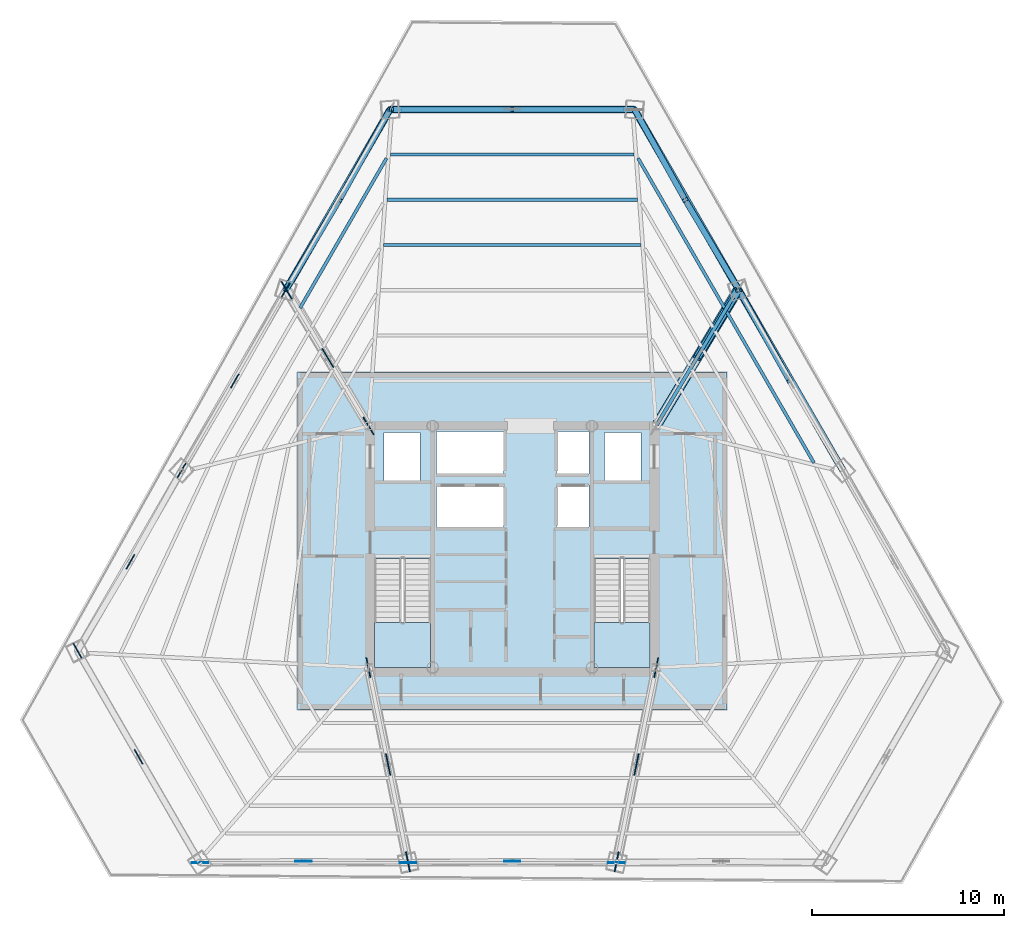
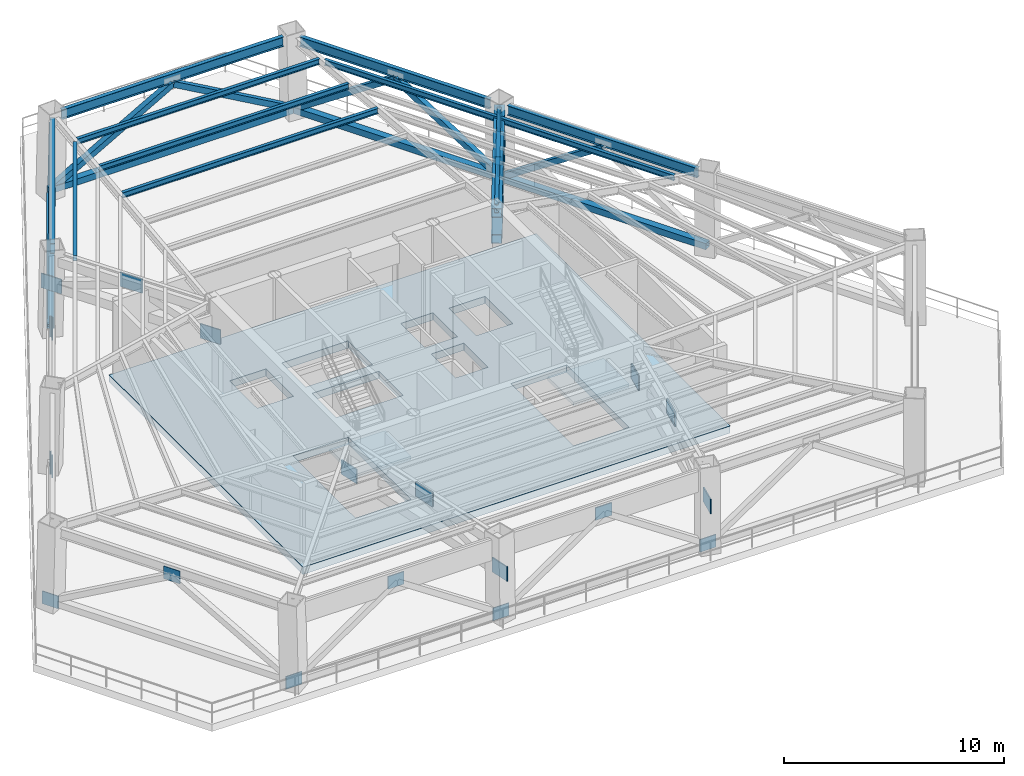
# One storey, part 4 of 12: 20 plates, 16 members, 11 beams, 3 slabs, 2 elements without a shape of their own.
"""IFC4 building model written with IfcOpenShell, lengths in metres."""

from ifc_helpers import new_model, si_unit, direction, frame, origin, origin_2d, place, context, subcontext, project, spatial, polyline, rectangle, hollow_rectangle, i_section, outline, extrude, source, transform, mapped, material, layer, layer_set, material_profile, profile_set, type_object, type_shapes, element, aggregate, save


model = new_model("IFC4")

# Units and contexts
model_context = context("Model", 3, precision=1e-05, world=origin(), true_north=direction((0.0, 1.0)))
body_context = subcontext(model_context, "Body", "Model", "MODEL_VIEW")
ifc_project = project(units=[si_unit("LENGTHUNIT", "METRE"), si_unit("AREAUNIT", "SQUARE_METRE"), si_unit("VOLUMEUNIT", "CUBIC_METRE"), si_unit("PLANEANGLEUNIT", "RADIAN"), si_unit("MASSUNIT", "GRAM", prefix="KILO")], contexts=[model_context])

# Site, building, storey
site_placement = place(None, origin())
site = spatial("IfcSite", under=ifc_project, at=site_placement, CompositionType="ELEMENT")
building_placement = place(site_placement, origin())
building = spatial("IfcBuilding", under=site, at=building_placement, Name="Caelisora Broadcast Tower", CompositionType="ELEMENT")
storey_placement = place(building_placement, frame((0.0, 0.0, 150.050048828125)))
storey = spatial("IfcBuildingStorey", under=building, at=storey_placement, Name="L39", CompositionType="ELEMENT", Elevation=150.050048828125)

# Members
ifc_material_1 = material(Name="Steel Grade 350 (AS/NZS 1163 C350L0)", Category="steel")
ifc_material_profile_1 = material_profile(ifc_material_1, hollow_rectangle(XDim=0.199951171875, YDim=0.199951171875, WallThickness=0.009033203125, at=origin_2d()), Name="Steel Grade 350 (AS/NZS 1163 C350L0)")
ifc_profile_set_1 = profile_set([ifc_material_profile_1], Name="Steel Grade 350 (AS/NZS 1163 C350L0)")
member_type_1 = type_object("IfcMemberType", Name="TR14", PredefinedType="POST", material=ifc_profile_set_1)
shared_shape_1 = source(origin(), body_context, "Body", "SweptSolid", [
    extrude(hollow_rectangle(XDim=0.199951171875, YDim=0.199951171875, WallThickness=0.009033203125, at=origin_2d()), origin(), (0.0, 0.0, 1.0), 3.62109375),
])
member_1_placement = place(storey_placement, frame((31.621826171875, 46.488037109375, 0.349853515625), z_axis=(0.0239342972, 0.001752934443, 0.999711996846), x_axis=(-0.073043794618, 0.997328734203, 0.0)))
element("IfcMember", 1, at=member_1_placement, inside=storey, type_object=member_type_1, Name="L39 transfer post TR14", PredefinedType="POST", context=body_context, shape_type="MappedRepresentation", body=[
    mapped(shared_shape_1, transform((0.0, 0.0, 0.0), scale=1.0)),
])
shared_shape_2 = source(origin(), body_context, "Body", "SweptSolid", [
    extrude(hollow_rectangle(XDim=0.199951171875, YDim=0.199951171875, WallThickness=0.009033203125, at=origin_2d()), origin(), (0.0, 0.0, 1.0), 3.620849609375),
])
type_shapes(member_type_1, [shared_shape_1, shared_shape_2])
member_2_placement = place(storey_placement, frame((49.806884765625, 37.085205078125, 0.349853515625), z_axis=(-0.019418701638, -0.006000918215, 0.999793430168), x_axis=(0.295251213444, -0.955419656988, 0.0)))
element("IfcMember", 2, at=member_2_placement, inside=storey, type_object=member_type_1, Name="L39 transfer post TR14", PredefinedType="POST", context=body_context, shape_type="MappedRepresentation", body=[
    mapped(shared_shape_2, transform((0.0, 0.0, 0.0), scale=1.0)),
])

# Beams
ifc_material_2 = material(Name="Steel Grade 350 (AS/NZS 3679.1)", Category="steel")
ifc_material_profile_2 = material_profile(ifc_material_2, i_section(OverallWidth=0.208984375, OverallDepth=0.532958984375, WebThickness=0.01025390625, FlangeThickness=0.015625, at=origin_2d()), Name="Steel Grade 350 (AS/NZS 3679.1)")
ifc_profile_set_2 = profile_set([ifc_material_profile_2], Name="Steel Grade 350 (AS/NZS 3679.1)")
beam_type_1 = type_object("IfcBeamType", Name="PG05", PredefinedType="BEAM", material=ifc_profile_set_2)
shared_shape_3 = source(origin(), body_context, "Body", "SweptSolid", [
    extrude(i_section(OverallWidth=0.208984375, OverallDepth=0.532958984375, WebThickness=0.01025390625, FlangeThickness=0.015625, at=origin_2d()), origin(), (0.0, 0.0, 1.0), 11.62353515625),
])
beam_1_placement = place(storey_placement, frame((43.811767578125, 46.49609375, 4.283447265625), z_axis=(-1.0, 0.0, 0.0), x_axis=(0.0, -1.0, 0.0)))
element("IfcBeam", 3, at=beam_1_placement, inside=storey, type_object=beam_type_1, Name="L39 beam PG05", PredefinedType="BEAM", context=body_context, shape_type="MappedRepresentation", body=[
    mapped(shared_shape_3, transform((0.0, 0.0, 0.0), scale=1.0)),
])
shared_shape_4 = source(origin(), body_context, "Body", "SweptSolid", [
    extrude(i_section(OverallWidth=0.208984375, OverallDepth=0.532958984375, WebThickness=0.01025390625, FlangeThickness=0.015625, at=origin_2d()), origin(), (0.0, 0.0, 1.0), 9.9775390625),
])
type_shapes(beam_type_1, [shared_shape_3, shared_shape_4])
for number, where, z_axis, x_axis, name in (
    (4, (31.498291015625, 46.09765625, 4.283447265625), (-0.499997099014, -0.866027078663, 0.0), (0.866027078663, -0.499997099014, 0.0), "L39 beam PG05"),
    (5, (54.939208984375, 28.019287109375, 4.283447265625), (-0.499997099014, 0.866027078663, 0.0), (-0.866027078663, -0.499997099014, 0.0), "L39 beam PG05"),
    (6, (49.490478515625, 37.456787109375, 4.283447265625), (-0.499997099014, 0.866027078663, 0.0), (-0.866027078663, -0.499997099014, 0.0), "L39 beam PG05"),
):
    element("IfcBeam", number, at=place(storey_placement, frame(where, z_axis=z_axis, x_axis=x_axis)), inside=storey, type_object=beam_type_1, Name=name, PredefinedType="BEAM", context=body_context, shape_type="MappedRepresentation", body=[
        mapped(shared_shape_4, transform((0.0, 0.0, 0.0), scale=1.0)),
    ])
ifc_material_profile_3 = material_profile(ifc_material_2, i_section(OverallWidth=0.19091796875, OverallDepth=0.46044921875, WebThickness=0.010009765625, FlangeThickness=0.01611328125, at=origin_2d()), Name="Steel Grade 350 (AS/NZS 3679.1)")
ifc_profile_set_3 = profile_set([ifc_material_profile_3], Name="Steel Grade 350 (AS/NZS 3679.1)")
beam_type_2 = type_object("IfcBeamType", Name="PG06", PredefinedType="BEAM", material=ifc_profile_set_3)
shared_shape_5 = source(origin(), body_context, "Body", "SweptSolid", [
    extrude(i_section(OverallWidth=0.19091796875, OverallDepth=0.46044921875, WebThickness=0.010009765625, FlangeThickness=0.01611328125, at=origin_2d()), origin(), (0.0, 0.0, 1.0), 7.743896484375),
])
type_shapes(beam_type_2, [shared_shape_5])
beam_2_placement = place(storey_placement, frame((45.53076171875, 30.051513671875, 4.31982421875), z_axis=(0.513187736505, 0.858276381535, 0.0), x_axis=(-0.858276381535, 0.513187736505, 0.0)))
element("IfcBeam", 7, at=beam_2_placement, inside=storey, type_object=beam_type_2, Name="L39 beam PG06", PredefinedType="BEAM", context=body_context, shape_type="MappedRepresentation", body=[
    mapped(shared_shape_5, transform((0.0, 0.0, 0.0), scale=1.0)),
])
ifc_material_profile_4 = material_profile(ifc_material_2, i_section(OverallWidth=0.166015625, OverallDepth=0.30712890625, WebThickness=0.006591796875, FlangeThickness=0.01171875, at=origin_2d()), Name="Steel Grade 350 (AS/NZS 3679.1)")
ifc_profile_set_4 = profile_set([ifc_material_profile_4], Name="Steel Grade 350 (AS/NZS 3679.1)")
beam_type_3 = type_object("IfcBeamType", Name="SB03", PredefinedType="JOIST", material=ifc_profile_set_4)
shared_shape_6 = source(origin(), body_context, "Body", "SweptSolid", [
    extrude(i_section(OverallWidth=0.166015625, OverallDepth=0.30712890625, WebThickness=0.006591796875, FlangeThickness=0.01171875, at=origin_2d()), origin(), (0.0, 0.0, 1.0), 13.41064453125),
])
beam_3_placement = place(storey_placement, frame((44.705322265625, 39.42626953125, 4.396240234375), z_axis=(-1.0, 0.0, 0.0), x_axis=(0.0, -1.0, 0.0)))
element("IfcBeam", 8, at=beam_3_placement, inside=storey, type_object=beam_type_3, Name="L39 beam SB03", PredefinedType="JOIST", context=body_context, shape_type="MappedRepresentation", body=[
    mapped(shared_shape_6, transform((0.0, 0.0, 0.0), scale=1.0)),
])
shared_shape_7 = source(origin(), body_context, "Body", "SweptSolid", [
    extrude(i_section(OverallWidth=0.166015625, OverallDepth=0.30712890625, WebThickness=0.006591796875, FlangeThickness=0.01171875, at=origin_2d()), origin(), (0.0, 0.0, 1.0), 13.0595703125),
])
beam_4_placement = place(storey_placement, frame((44.52978515625, 41.782958984375, 4.396240234375), z_axis=(-1.0, 0.0, 0.0), x_axis=(0.0, -1.0, 0.0)))
element("IfcBeam", 9, at=beam_4_placement, inside=storey, type_object=beam_type_3, Name="L39 beam SB03", PredefinedType="JOIST", context=body_context, shape_type="MappedRepresentation", body=[
    mapped(shared_shape_7, transform((0.0, 0.0, 0.0), scale=1.0)),
])
shared_shape_8 = source(origin(), body_context, "Body", "SweptSolid", [
    extrude(i_section(OverallWidth=0.166015625, OverallDepth=0.30712890625, WebThickness=0.006591796875, FlangeThickness=0.01171875, at=origin_2d()), origin(), (0.0, 0.0, 1.0), 12.708984375),
])
beam_5_placement = place(storey_placement, frame((44.3544921875, 44.139404296875, 4.396240234375), z_axis=(-1.0, 0.0, 0.0), x_axis=(0.0, -1.0, 0.0)))
element("IfcBeam", 10, at=beam_5_placement, inside=storey, type_object=beam_type_3, Name="L39 beam SB03", PredefinedType="JOIST", context=body_context, shape_type="MappedRepresentation", body=[
    mapped(shared_shape_8, transform((0.0, 0.0, 0.0), scale=1.0)),
])
shared_shape_9 = source(origin(), body_context, "Body", "SweptSolid", [
    extrude(i_section(OverallWidth=0.166015625, OverallDepth=0.30712890625, WebThickness=0.006591796875, FlangeThickness=0.01171875, at=origin_2d()), origin(), (0.0, 0.0, 1.0), 9.017578125),
])
for number, where, z_axis, x_axis, name in (
    (11, (31.4443359375, 43.95166015625, 4.396240234375), (-0.499994306202, -0.866028691075, 0.0), (0.866028691075, -0.499994306202, 0.0), "L39 beam SB03"),
    (12, (49.064453125, 36.14208984375, 4.396240234375), (-0.499994306202, 0.866028691075, 0.0), (-0.866028691075, -0.499994306202, 0.0), "L39 beam SB03"),
):
    element("IfcBeam", number, at=place(storey_placement, frame(where, z_axis=z_axis, x_axis=x_axis)), inside=storey, type_object=beam_type_3, Name=name, PredefinedType="JOIST", context=body_context, shape_type="MappedRepresentation", body=[
        mapped(shared_shape_9, transform((0.0, 0.0, 0.0), scale=1.0)),
    ])
shared_shape_10 = source(origin(), body_context, "Body", "SweptSolid", [
    extrude(i_section(OverallWidth=0.166015625, OverallDepth=0.30712890625, WebThickness=0.006591796875, FlangeThickness=0.01171875, at=origin_2d()), origin(), (0.0, 0.0, 1.0), 9.10498046875),
])
type_shapes(beam_type_3, [shared_shape_6, shared_shape_7, shared_shape_8, shared_shape_9, shared_shape_10])
beam_6_placement = place(storey_placement, frame((53.72314453125, 28.072998046875, 4.396240234375), z_axis=(-0.500006402358, 0.86602170735, 0.0), x_axis=(-0.86602170735, -0.500006402358, 0.0)))
element("IfcBeam", 13, at=beam_6_placement, inside=storey, type_object=beam_type_3, Name="L39 beam SB03", PredefinedType="JOIST", context=body_context, shape_type="MappedRepresentation", body=[
    mapped(shared_shape_10, transform((0.0, 0.0, 0.0), scale=1.0)),
])

# Members
ifc_material_3 = material(Name="Steel Grade 350 L15 (AS/NZS 3678)", Category="steel")
ifc_material_profile_5 = material_profile(ifc_material_3, hollow_rectangle(XDim=0.5, YDim=0.5, WallThickness=0.02001953125, at=origin_2d()), Name="Steel Grade 350 L15 (AS/NZS 3678)")
ifc_profile_set_5 = profile_set([ifc_material_profile_5], Name="Steel Grade 350 L15 (AS/NZS 3678)")
member_type_2 = type_object("IfcMemberType", Name="OR03", PredefinedType="CHORD", material=ifc_profile_set_5)
shared_shape_11 = source(origin(), body_context, "Body", "SweptSolid", [
    extrude(hollow_rectangle(XDim=0.5, YDim=0.5, WallThickness=0.02001953125, at=origin_2d()), origin(), (0.0, 0.0, 1.0), 8.25634765625),
])
member_3_placement = place(storey_placement, frame((45.5, 30.0, 2.679931640625), z_axis=(0.516182015315, 0.856478912213, 0.0), x_axis=(-0.856478912213, 0.516182015315, 0.0)))
element("IfcMember", 14, at=member_3_placement, inside=storey, type_object=member_type_2, Name="L39 outrigger chord OR03", PredefinedType="CHORD", context=body_context, shape_type="MappedRepresentation", body=[
    mapped(shared_shape_11, transform((0.0, 0.0, 0.0), scale=1.0)),
])
shared_shape_12 = source(origin(), body_context, "Body", "SweptSolid", [
    extrude(hollow_rectangle(XDim=0.5, YDim=0.5, WallThickness=0.02001953125, at=origin_2d()), origin(), (0.0, 0.0, 1.0), 8.234130859375),
])
type_shapes(member_type_2, [shared_shape_11, shared_shape_12])
member_4_placement = place(storey_placement, frame((45.5, 30.0, 4.1298828125), z_axis=(0.514129444897, 0.85771260565, 0.0), x_axis=(-0.85771260565, 0.514129444897, 0.0)))
element("IfcMember", 15, at=member_4_placement, inside=storey, type_object=member_type_2, Name="L39 outrigger chord OR03", PredefinedType="CHORD", context=body_context, shape_type="MappedRepresentation", body=[
    mapped(shared_shape_12, transform((0.0, 0.0, 0.0), scale=1.0)),
])
ifc_material_profile_6 = material_profile(ifc_material_1, hollow_rectangle(XDim=0.39990234375, YDim=0.39990234375, WallThickness=0.01611328125, at=origin_2d()), Name="Steel Grade 350 (AS/NZS 1163 C350L0)")
ifc_profile_set_6 = profile_set([ifc_material_profile_6], Name="Steel Grade 350 (AS/NZS 1163 C350L0)")
member_type_3 = type_object("IfcMemberType", Name="OR04", PredefinedType="STRUT", material=ifc_profile_set_6)
shared_shape_13 = source(origin(), body_context, "Body", "SweptSolid", [
    extrude(hollow_rectangle(XDim=0.39990234375, YDim=0.39990234375, WallThickness=0.01611328125, at=origin_2d()), origin(), (0.0, 0.0, 1.0), 4.3857421875),
])
type_shapes(member_type_3, [shared_shape_13])
member_5_placement = place(storey_placement, frame((47.61669921875, 33.53125, 4.1298828125), z_axis=(0.489081544446, 0.80715711296, -0.330600420267), x_axis=(-0.855246946827, 0.518220667229, 0.0)))
element("IfcMember", 16, at=member_5_placement, inside=storey, type_object=member_type_3, Name="L39 outrigger diagonal OR04", PredefinedType="STRUT", context=body_context, shape_type="MappedRepresentation", body=[
    mapped(shared_shape_13, transform((0.0, 0.0, 0.0), scale=1.0)),
])
ifc_material_profile_7 = material_profile(ifc_material_1, hollow_rectangle(XDim=0.35009765625, YDim=0.35009765625, WallThickness=0.01611328125, at=origin_2d()), Name="Steel Grade 350 (AS/NZS 1163 C350L0)")
ifc_profile_set_7 = profile_set([ifc_material_profile_7], Name="Steel Grade 350 (AS/NZS 1163 C350L0)")
member_type_4 = type_object("IfcMemberType", Name="OR05", PredefinedType="CHORD", material=ifc_profile_set_7)
shared_shape_14 = source(origin(), body_context, "Body", "SweptSolid", [
    extrude(hollow_rectangle(XDim=0.35009765625, YDim=0.35009765625, WallThickness=0.01611328125, at=origin_2d()), origin(), (0.0, 0.0, 1.0), 12.75634765625),
])
member_6_placement = place(storey_placement, frame((44.378173828125, 46.488037109375, 0.349853515625), z_axis=(-1.0, 0.0, 0.0), x_axis=(0.0, -1.0, 0.0)))
element("IfcMember", 17, at=member_6_placement, inside=storey, type_object=member_type_4, Name="L39 belt chord OR05", PredefinedType="CHORD", context=body_context, shape_type="MappedRepresentation", body=[
    mapped(shared_shape_14, transform((0.0, 0.0, 0.0), scale=1.0)),
])
ifc_material_profile_8 = material_profile(ifc_material_1, hollow_rectangle(XDim=0.300048828125, YDim=0.300048828125, WallThickness=0.012451171875, at=origin_2d()), Name="Steel Grade 350 (AS/NZS 1163 C350L0)")
ifc_profile_set_8 = profile_set([ifc_material_profile_8], Name="Steel Grade 350 (AS/NZS 1163 C350L0)")
member_type_5 = type_object("IfcMemberType", Name="OR06", PredefinedType="STRUT", material=ifc_profile_set_8)
shared_shape_15 = source(origin(), body_context, "Body", "SweptSolid", [
    extrude(hollow_rectangle(XDim=0.300048828125, YDim=0.300048828125, WallThickness=0.012451171875, at=origin_2d()), origin(), (0.0, 0.0, 1.0), 7.333984375),
])
for number, where, z_axis, x_axis, name in (
    (18, (44.378173828125, 46.488037109375, 0.349853515625), (-0.869681340936, 0.000865520186, 0.493612820034), (-0.000995214818, -0.999999504774, 0.0), "L39 belt diagonal OR06"),
    (19, (31.621826171875, 46.488037109375, 0.349853515625), (0.869681340936, 0.000865520186, 0.493612820034), (-0.000995214818, 0.999999504774, 0.0), "L39 belt diagonal OR06"),
):
    element("IfcMember", number, at=place(storey_placement, frame(where, z_axis=z_axis, x_axis=x_axis)), inside=storey, type_object=member_type_5, Name=name, PredefinedType="STRUT", context=body_context, shape_type="MappedRepresentation", body=[
        mapped(shared_shape_15, transform((0.0, 0.0, 0.0), scale=1.0)),
    ])
shared_shape_16 = source(origin(), body_context, "Body", "SweptSolid", [
    extrude(hollow_rectangle(XDim=0.35009765625, YDim=0.35009765625, WallThickness=0.01611328125, at=origin_2d()), origin(), (0.0, 0.0, 1.0), 10.857421875),
])
type_shapes(member_type_4, [shared_shape_14, shared_shape_16])
for number, where, z_axis, x_axis, name in (
    (20, (31.621826171875, 46.488037109375, 0.349853515625), (-0.499998848701, -0.866026068486, 0.0), (0.866026068486, -0.499998848701, 0.0), "L39 belt chord OR05"),
    (21, (55.235595703125, 27.682373046875, 0.349853515625), (-0.499998848701, 0.866026068486, 0.0), (-0.866026068486, -0.499998848701, 0.0), "L39 belt chord OR05"),
    (22, (49.806884765625, 37.085205078125, 0.349853515625), (-0.499998848701, 0.866026068486, 0.0), (-0.866026068486, -0.499998848701, 0.0), "L39 belt chord OR05"),
):
    element("IfcMember", number, at=place(storey_placement, frame(where, z_axis=z_axis, x_axis=x_axis)), inside=storey, type_object=member_type_4, Name=name, PredefinedType="CHORD", context=body_context, shape_type="MappedRepresentation", body=[
        mapped(shared_shape_16, transform((0.0, 0.0, 0.0), scale=1.0)),
    ])
shared_shape_17 = source(origin(), body_context, "Body", "SweptSolid", [
    extrude(hollow_rectangle(XDim=0.300048828125, YDim=0.300048828125, WallThickness=0.012451171875, at=origin_2d()), origin(), (0.0, 0.0, 1.0), 6.498291015625),
])
for number, where, z_axis, x_axis, name in (
    (23, (31.621826171875, 46.488037109375, 0.349853515625), (-0.405640992398, -0.724646055512, 0.557084804601), (0.872588548536, -0.488455960107, 0.0), "L39 belt diagonal OR06"),
    (24, (44.378173828125, 46.488037109375, 0.349853515625), (0.405640992398, -0.724646055512, 0.557084804601), (0.872588548536, 0.488455960107, 0.0), "L39 belt diagonal OR06"),
):
    element("IfcMember", number, at=place(storey_placement, frame(where, z_axis=z_axis, x_axis=x_axis)), inside=storey, type_object=member_type_5, Name=name, PredefinedType="STRUT", context=body_context, shape_type="MappedRepresentation", body=[
        mapped(shared_shape_17, transform((0.0, 0.0, 0.0), scale=1.0)),
    ])
shared_shape_18 = source(origin(), body_context, "Body", "SweptSolid", [
    extrude(hollow_rectangle(XDim=0.300048828125, YDim=0.300048828125, WallThickness=0.012451171875, at=origin_2d()), origin(), (0.0, 0.0, 1.0), 6.552734375),
])
for number, where, z_axis, x_axis, name in (
    (25, (26.193115234375, 37.085205078125, 0.349853515625), (0.426200006385, 0.716331962826, 0.552469070258), (-0.859392034102, 0.511317251539, 0.0), "L39 belt diagonal OR06"),
    (26, (49.806884765625, 37.085205078125, 0.349853515625), (-0.426200006385, 0.716331962826, 0.552469070258), (-0.859392034102, -0.511317251539, 0.0), "L39 belt diagonal OR06"),
):
    element("IfcMember", number, at=place(storey_placement, frame(where, z_axis=z_axis, x_axis=x_axis)), inside=storey, type_object=member_type_5, Name=name, PredefinedType="STRUT", context=body_context, shape_type="MappedRepresentation", body=[
        mapped(shared_shape_18, transform((0.0, 0.0, 0.0), scale=1.0)),
    ])
shared_shape_19 = source(origin(), body_context, "Body", "SweptSolid", [
    extrude(hollow_rectangle(XDim=0.300048828125, YDim=0.300048828125, WallThickness=0.012451171875, at=origin_2d()), origin(), (0.0, 0.0, 1.0), 6.525390625),
])
type_shapes(member_type_5, [shared_shape_15, shared_shape_17, shared_shape_18, shared_shape_19])
member_7_placement = place(storey_placement, frame((49.806884765625, 37.085205078125, 0.349853515625), z_axis=(0.406426696469, -0.725978423851, 0.55477262775), x_axis=(0.872568121252, 0.48849245007, 0.0)))
element("IfcMember", 27, at=member_7_placement, inside=storey, type_object=member_type_5, Name="L39 belt diagonal OR06", PredefinedType="STRUT", context=body_context, shape_type="MappedRepresentation", body=[
    mapped(shared_shape_19, transform((0.0, 0.0, 0.0), scale=1.0)),
])

# Slab
ifc_material_4 = material(Name="Concrete 50 MPa (AS 3600 S50)", Category="concrete")
ifc_layer_1 = layer(ifc_material_4, 0.39990234375, Name="Concrete 50 MPa (AS 3600 S50)")
ifc_layer_set_1 = layer_set([ifc_layer_1], Name="Concrete 50 MPa (AS 3600 S50)")
slab_type_1 = type_object("IfcSlabType", Name="SL03", PredefinedType="FLOOR", material=ifc_layer_set_1)
slab_1_placement = place(storey_placement, frame((0.0, 0.0, -0.400146484375)))
element("IfcSlab", 28, at=slab_1_placement, inside=storey, type_object=slab_type_1, Name="L39 suspended floor SL03", PredefinedType="FLOOR", context=body_context, shape_type="SweptSolid", body=[
    extrude(outline(polyline([(26.800048828125, 15.199951171875), (26.800048828125, 32.800048828125), (49.199951171875, 32.800048828125), (49.199951171875, 15.199951171875), (26.800048828125, 15.199951171875)]), holes=[polyline([(30.820068359375, 17.39990234375), (33.739990234375, 17.39990234375), (33.739990234375, 23.080078125), (30.820068359375, 23.080078125), (30.820068359375, 17.39990234375)]), polyline([(42.260009765625, 17.39990234375), (45.179931640625, 17.39990234375), (45.179931640625, 23.080078125), (42.260009765625, 23.080078125), (42.260009765625, 17.39990234375)]), polyline([(42.800048828125, 27.14990234375), (44.699951171875, 27.14990234375), (44.699951171875, 29.64990234375), (42.800048828125, 29.64990234375), (42.800048828125, 27.14990234375)]), polyline([(40.300048828125, 24.719970703125), (42.0, 24.719970703125), (42.0, 26.919921875), (40.300048828125, 26.919921875), (40.300048828125, 24.719970703125)]), polyline([(40.300048828125, 27.5), (42.0, 27.5), (42.0, 29.699951171875), (40.300048828125, 29.699951171875), (40.300048828125, 27.5)]), polyline([(34.050048828125, 24.719970703125), (37.550048828125, 24.719970703125), (37.550048828125, 26.919921875), (34.050048828125, 26.919921875), (34.050048828125, 24.719970703125)]), polyline([(34.050048828125, 27.5), (37.550048828125, 27.5), (37.550048828125, 29.699951171875), (34.050048828125, 29.699951171875), (34.050048828125, 27.5)]), polyline([(31.300048828125, 27.14990234375), (33.199951171875, 27.14990234375), (33.199951171875, 29.64990234375), (31.300048828125, 29.64990234375), (31.300048828125, 27.14990234375)])]), origin(), (0.0, 0.0, 1.0), 0.400146484375),
])

# Stair, slab
ifc_material_5 = material(Name="Concrete 40 MPa (AS 3600 N40)", Category="concrete")
stair_type_1 = type_object("IfcStairType", Name="ST-1", PredefinedType="HALF_TURN_STAIR", material=ifc_material_5)
stair_1_placement = place(storey_placement, origin())
stair_1 = element("IfcStair", 29, at=stair_1_placement, inside=storey, type_object=stair_type_1, Name="L39 West Fire-Isolated Tower Stair", PredefinedType="HALF_TURN_STAIR")
ifc_layer_2 = layer(ifc_material_5, 0.199951171875, Name="Concrete 40 MPa (AS 3600 N40)")
ifc_layer_set_2 = layer_set([ifc_layer_2], Name="Concrete 40 MPa (AS 3600 N40)")
slab_type_2 = type_object("IfcSlabType", Name="STL-1", PredefinedType="LANDING", material=ifc_layer_set_2)
slab_2_placement = place(storey_placement, frame((0.0, 0.0, 2.199951171875)))
slab_2 = element("IfcSlab", 30, at=slab_2_placement, type_object=slab_type_2, Name="ST-1 landing 1", PredefinedType="LANDING", context=body_context, shape_type="SweptSolid", body=[
    extrude(outline(polyline([(30.820068359375, 19.739990234375), (30.820068359375, 17.39990234375), (33.739990234375, 17.39990234375), (33.739990234375, 19.739990234375), (30.820068359375, 19.739990234375)])), origin(), (0.0, 0.0, 1.0), 0.199951171875),
])
aggregate(stair_1, [slab_2])

stair_type_2 = type_object("IfcStairType", Name="ST-2", PredefinedType="HALF_TURN_STAIR", material=ifc_material_5)
stair_2_placement = place(storey_placement, origin())
stair_2 = element("IfcStair", 31, at=stair_2_placement, inside=storey, type_object=stair_type_2, Name="L39 East Fire-Isolated Tower Stair", PredefinedType="HALF_TURN_STAIR")
slab_3_placement = place(storey_placement, frame((0.0, 0.0, 2.199951171875)))
slab_3 = element("IfcSlab", 32, at=slab_3_placement, type_object=slab_type_2, Name="ST-2 landing 1", PredefinedType="LANDING", context=body_context, shape_type="SweptSolid", body=[
    extrude(outline(polyline([(42.260009765625, 19.739990234375), (42.260009765625, 17.39990234375), (45.179931640625, 17.39990234375), (45.179931640625, 19.739990234375), (42.260009765625, 19.739990234375)])), origin(), (0.0, 0.0, 1.0), 0.199951171875),
])
aggregate(stair_2, [slab_3])

# Plates
ifc_layer_3 = layer(ifc_material_3, 0.050048828125, Name="Steel Grade 350 L15 (AS/NZS 3678)")
ifc_layer_set_3 = layer_set([ifc_layer_3], Name="Steel Grade 350 L15 (AS/NZS 3678)")
plate_type_1 = type_object("IfcPlateType", Name="GP03", PredefinedType="USERDEFINED", material=ifc_layer_set_3)
shared_shape_20 = source(origin(), body_context, "Body", "SweptSolid", [
    extrude(rectangle(XDim=0.85009765625, YDim=0.050048828125, at=origin_2d()), origin(), (0.0, 0.0, 1.0), 0.699951171875),
])
type_shapes(plate_type_1, [shared_shape_20])
for number, where, z_axis, x_axis, name in (
    (33, (26.193115234375, 37.085205078125, 0.0), (0.0, 0.0, 1.0), (-0.5, -0.866025403784, 0.0), "L39 gusset plate GP03 (ND-BT-L39-03B)"),
    (34, (23.541015625, 32.347900390625, 3.6201171875), (0.0, 0.0, 1.0), (-0.5, -0.866025403784, 0.0), "L39 gusset plate GP03 (ND-BT-L39-03M)"),
    (35, (20.764404296875, 27.682373046875, 0.0), (0.0, 0.0, 1.0), (-0.5, -0.866025403784, 0.0), "L39 gusset plate GP03 (ND-BT-L39-04B)"),
    (36, (18.095947265625, 22.9169921875, 3.6201171875), (0.0, 0.0, 1.0), (-0.5, -0.866025403784, 0.0), "L39 gusset plate GP03 (ND-BT-L39-04M)"),
    (37, (15.335693359375, 18.279541015625, 0.0), (0.0, 0.0, 1.0), (0.5, -0.866025403784, 0.0), "L39 gusset plate GP03 (ND-BT-L39-05B)"),
    (38, (18.519287109375, 12.752685546875, 3.6201171875), (0.0, 0.0, 1.0), (0.5, -0.866025403784, 0.0), "L39 gusset plate GP03 (ND-BT-L39-05M)"),
    (39, (21.7138671875, 7.232421875, 0.0), (0.0, 0.0, 1.0), (1.0, 0.0, 0.0), "L39 gusset plate GP03 (ND-BT-L39-06B)"),
    (40, (27.110107421875, 7.303955078125, 3.6201171875), (0.0, 0.0, 1.0), (1.0, 0.0, 0.0), "L39 gusset plate GP03 (ND-BT-L39-06M)"),
    (41, (32.5712890625, 7.232421875, 0.0), (0.0, 0.0, 1.0), (1.0, 0.0, 0.0), "L39 gusset plate GP03 (ND-BT-L39-07B)"),
    (42, (38.0, 7.303955078125, 3.6201171875), (0.0, 0.0, 1.0), (1.0, 0.0, 0.0), "L39 gusset plate GP03 (ND-BT-L39-07M)"),
    (43, (43.4287109375, 7.232421875, 0.0), (0.0, 0.0, 1.0), (1.0, 0.0, 0.0), "L39 gusset plate GP03 (ND-BT-L39-08B)"),
):
    element("IfcPlate", number, at=place(storey_placement, frame(where, z_axis=z_axis, x_axis=x_axis)), inside=storey, type_object=plate_type_1, Name=name, ObjectType="GUSSET PLATE", PredefinedType="USERDEFINED", context=body_context, shape_type="MappedRepresentation", body=[
        mapped(shared_shape_20, transform((0.0, 0.0, 0.0), scale=1.0)),
    ])
ifc_layer_4 = layer(ifc_material_3, 0.06005859375, Name="Steel Grade 350 L15 (AS/NZS 3678)")
ifc_layer_set_4 = layer_set([ifc_layer_4], Name="Steel Grade 350 L15 (AS/NZS 3678)")
plate_type_2 = type_object("IfcPlateType", Name="GP02", PredefinedType="USERDEFINED", material=ifc_layer_set_4)
shared_shape_21 = source(origin(), body_context, "Body", "SweptSolid", [
    extrude(rectangle(XDim=1.050048828125, YDim=0.06005859375, at=origin_2d()), origin(), (0.0, 0.0, 1.0), 0.800048828125),
])
for number, where, z_axis, x_axis, name in (
    (44, (30.5, 17.39990234375, 2.27978515625), (0.0, 0.0, 1.0), (0.199538960505, -0.979889893427, 0.0), "L39 gusset plate GP02 (ND-OR-L39-1A)"),
    (45, (32.560791015625, 7.278564453125, 2.27978515625), (0.0, 0.0, 1.0), (0.199538960505, -0.979889893427, 0.0), "L39 gusset plate GP02 (ND-OR-L39-1B)"),
    (46, (45.5, 17.39990234375, 2.27978515625), (0.0, 0.0, 1.0), (-0.199538960505, -0.979889893427, 0.0), "L39 gusset plate GP02 (ND-OR-L39-2A)"),
    (47, (43.439208984375, 7.278564453125, 2.27978515625), (0.0, 0.0, 1.0), (-0.199538960505, -0.979889893427, 0.0), "L39 gusset plate GP02 (ND-OR-L39-2B)"),
    (48, (30.5, 30.0, 2.27978515625), (0.0, 0.0, 1.0), (-0.516234403806, 0.856447336576, 0.0), "L39 gusset plate GP02 (ND-OR-L39-4A)"),
    (49, (26.23828125, 37.0712890625, 2.27978515625), (0.0, 0.0, 1.0), (-0.516234403806, 0.856447336576, 0.0), "L39 gusset plate GP02 (ND-OR-L39-4B)"),
):
    element("IfcPlate", number, at=place(storey_placement, frame(where, z_axis=z_axis, x_axis=x_axis)), inside=storey, type_object=plate_type_2, Name=name, ObjectType="GUSSET PLATE", PredefinedType="USERDEFINED", context=body_context, shape_type="MappedRepresentation", body=[
        mapped(shared_shape_21, transform((0.0, 0.0, 0.0), scale=1.0)),
    ])
shared_shape_22 = source(origin(), body_context, "Body", "SweptSolid", [
    extrude(rectangle(XDim=1.14990234375, YDim=0.06005859375, at=origin_2d()), origin(), (0.0, 0.0, 1.0), 0.800048828125),
])
type_shapes(plate_type_2, [shared_shape_21, shared_shape_22])
for number, where, z_axis, x_axis, name in (
    (50, (31.527099609375, 12.353515625, 3.72998046875), (0.0, 0.0, 1.0), (0.199538960505, -0.979889893427, 0.0), "L39 gusset plate GP02 (ND-OR-L39-1M)"),
    (51, (44.472900390625, 12.353515625, 3.72998046875), (0.0, 0.0, 1.0), (-0.199538960505, -0.979889893427, 0.0), "L39 gusset plate GP02 (ND-OR-L39-2M)"),
    (52, (28.38330078125, 33.53125, 3.72998046875), (0.0, 0.0, 1.0), (-0.516234403806, 0.856447336576, 0.0), "L39 gusset plate GP02 (ND-OR-L39-4M)"),
):
    element("IfcPlate", number, at=place(storey_placement, frame(where, z_axis=z_axis, x_axis=x_axis)), inside=storey, type_object=plate_type_2, Name=name, ObjectType="GUSSET PLATE", PredefinedType="USERDEFINED", context=body_context, shape_type="MappedRepresentation", body=[
        mapped(shared_shape_22, transform((0.0, 0.0, 0.0), scale=1.0)),
    ])

save(model, "model.ifc")
